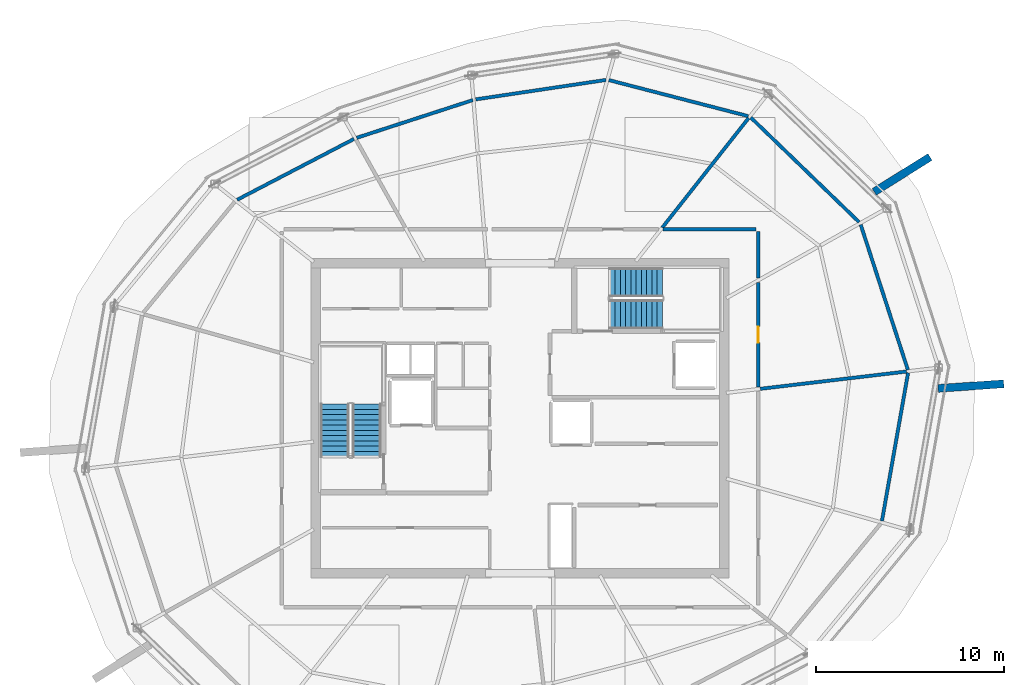
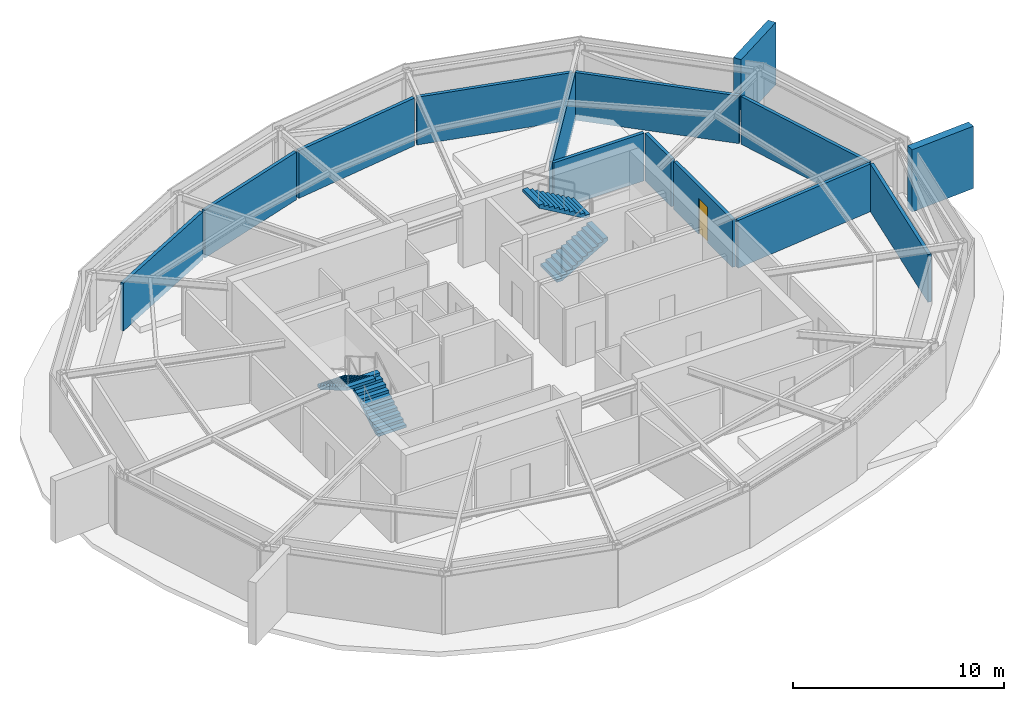
# One storey, part 9 of 10: 14 walls, 4 stair flights, 1 door, 1 opening, 2 elements without a shape of their own.
"""IFC4 building model written with IfcOpenShell, lengths in metres."""

from ifc_helpers import new_model, si_unit, direction, frame, frame_2d, origin, place, context, subcontext, project, spatial, polyline, rectangle, outline, extrude, material, layer, layer_set, type_object, element, fill, aggregate, save


model = new_model("IFC4")

# Units and contexts
model_context = context("Model", 3, precision=1e-05, world=origin(), true_north=direction((0.0, 1.0)))
body_context = subcontext(model_context, "Body", "Model", "MODEL_VIEW")
ifc_project = project(units=[si_unit("LENGTHUNIT", "METRE"), si_unit("AREAUNIT", "SQUARE_METRE"), si_unit("VOLUMEUNIT", "CUBIC_METRE"), si_unit("PLANEANGLEUNIT", "RADIAN"), si_unit("MASSUNIT", "GRAM", prefix="KILO")], contexts=[model_context])

# Site, building, storey
site_placement = place(None, origin())
site = spatial("IfcSite", under=ifc_project, at=site_placement, CompositionType="ELEMENT")
building_placement = place(site_placement, origin())
building = spatial("IfcBuilding", under=site, at=building_placement, Name="Kazma Halo Residences", CompositionType="ELEMENT")
storey_placement = place(building_placement, frame((0.0, 0.0, 359.60009765625)))
storey = spatial("IfcBuildingStorey", under=building, at=storey_placement, Name="L90", CompositionType="ELEMENT", Elevation=359.60009765625)

# Walls
ifc_material_1 = material(Name="Pale Concrete C60/75", Category="concrete")
ifc_layer_1 = layer(ifc_material_1, 0.419921875)
ifc_layer_set_1 = layer_set([ifc_layer_1], Name="Pale Concrete C60/75")
wall_type_1 = type_object("IfcWallType", Name="WL-BLADE-420", PredefinedType="SOLIDWALL", material=ifc_layer_set_1)
for number, where, z_axis, x_axis, name in (
    (1, (67.268798828125, 54.04052734375, 0.0), (0.0, 0.0, 1.0), (0.848033572426, 0.529942506352, 0.0), "L90 pale concrete structural blade fin wall BW-01"),
    (2, (70.666015625, 43.5849609375, 0.0), (0.0, 0.0, 1.0), (0.997564163539, 0.069754853754, 0.0), "L90 pale concrete structural blade fin wall BW-04"),
):
    element("IfcWall", number, at=place(storey_placement, frame(where, z_axis=z_axis, x_axis=x_axis)), inside=storey, type_object=wall_type_1, Name=name, PredefinedType="SOLIDWALL", context=body_context, shape_type="SweptSolid", body=[
        extrude(rectangle(XDim=3.5, YDim=0.419921875, at=frame_2d((1.75, 0.0))), origin(), (0.0, 0.0, 1.0), 3.599853515625),
    ])
ifc_material_2 = material(Name="Acoustic Twin-Stud Gypsum")
ifc_layer_2 = layer(ifc_material_2, 0.179931640625)
ifc_layer_set_2 = layer_set([ifc_layer_2], Name="Acoustic Twin-Stud Gypsum")
wall_type_2 = type_object("IfcWallType", Name="WL-DEM-180", PredefinedType="PARTITIONING", material=ifc_layer_set_2)
wall_1_placement = place(storey_placement, frame((66.466796875, 52.4296875, 0.0), z_axis=(0.0, 0.0, 1.0), x_axis=(-0.719364153135, 0.694633151516, 0.0)))
element("IfcWall", 3, at=wall_1_placement, inside=storey, type_object=wall_type_2, Name="L90 crown plant perimeter wall 00", PredefinedType="PARTITIONING", context=body_context, shape_type="SweptSolid", body=[
    extrude(rectangle(XDim=8.006103515625, YDim=0.179931640625, at=frame_2d((4.0029296875, 0.0))), origin(), (0.0, 0.0, 1.0), 2.760009765625),
])
wall_2_placement = place(storey_placement, frame((60.57275390625, 58.06640625, 0.0), z_axis=(0.0, 0.0, 1.0), x_axis=(-0.968117205342, 0.250497658115, 0.0)))
element("IfcWall", 4, at=wall_2_placement, inside=storey, type_object=wall_type_2, Name="L90 crown plant perimeter wall 01", PredefinedType="PARTITIONING", context=body_context, shape_type="SweptSolid", body=[
    extrude(rectangle(XDim=7.66162109375, YDim=0.179931640625, at=frame_2d((3.830810546875, 0.0))), origin(), (0.0, 0.0, 1.0), 2.760009765625),
])
wall_3_placement = place(storey_placement, frame((52.9990234375, 59.99365234375, 0.0), z_axis=(0.0, 0.0, 1.0), x_axis=(-0.989034336252, -0.147685753256, 0.0)))
element("IfcWall", 5, at=wall_3_placement, inside=storey, type_object=wall_type_2, Name="L90 crown plant perimeter wall 02", PredefinedType="PARTITIONING", context=body_context, shape_type="SweptSolid", body=[
    extrude(rectangle(XDim=7.002685546875, YDim=0.179931640625, at=frame_2d((3.50146484375, 0.0))), origin(), (0.0, 0.0, 1.0), 2.760009765625),
])
wall_4_placement = place(storey_placement, frame((45.91796875, 58.923095703125, 0.0), z_axis=(0.0, 0.0, 1.0), x_axis=(-0.95105283999, -0.309028308649, 0.0)))
element("IfcWall", 6, at=wall_4_placement, inside=storey, type_object=wall_type_2, Name="L90 crown plant perimeter wall 03", PredefinedType="PARTITIONING", context=body_context, shape_type="SweptSolid", body=[
    extrude(rectangle(XDim=6.498779296875, YDim=0.179931640625, at=frame_2d((3.24951171875, 0.0))), origin(), (0.0, 0.0, 1.0), 2.760009765625),
])
wall_5_placement = place(storey_placement, frame((39.590087890625, 56.85302734375, 0.0), z_axis=(0.0, 0.0, 1.0), x_axis=(-0.886949494865, -0.461866423935, 0.0)))
element("IfcWall", 7, at=wall_5_placement, inside=storey, type_object=wall_type_2, Name="L90 crown plant perimeter wall 04", PredefinedType="PARTITIONING", context=body_context, shape_type="SweptSolid", body=[
    extrude(rectangle(XDim=7.002197265625, YDim=0.179931640625, at=frame_2d((3.5009765625, 0.0))), origin(), (0.0, 0.0, 1.0), 2.760009765625),
])
wall_6_placement = place(storey_placement, frame((67.679931640625, 36.532470703125, 0.0), z_axis=(0.0, 0.0, 1.0), x_axis=(0.173668776466, 0.984804120666, 0.0)))
element("IfcWall", 8, at=wall_6_placement, inside=storey, type_object=wall_type_2, Name="L90 crown plant perimeter wall 14", PredefinedType="PARTITIONING", context=body_context, shape_type="SweptSolid", body=[
    extrude(rectangle(XDim=8.005859375, YDim=0.179931640625, at=frame_2d((4.0029296875, 0.0))), origin(), (0.0, 0.0, 1.0), 2.760009765625),
])
wall_7_placement = place(storey_placement, frame((69.059326171875, 44.571533203125, 0.0), z_axis=(0.0, 0.0, 1.0), x_axis=(-0.309024234991, 0.951054163646, 0.0)))
element("IfcWall", 9, at=wall_7_placement, inside=storey, type_object=wall_type_2, Name="L90 crown plant perimeter wall 15", PredefinedType="PARTITIONING", context=body_context, shape_type="SweptSolid", body=[
    extrude(rectangle(XDim=8.1240234375, YDim=0.179931640625, at=frame_2d((4.06201171875, 0.0))), origin(), (0.0, 0.0, 1.0), 2.760009765625),
])
wall_8_placement = place(storey_placement, frame((55.990966796875, 52.136474609375, 0.0), z_axis=(0.0, 0.0, 1.0), x_axis=(0.619089811342, 0.785320192974, 0.0)))
element("IfcWall", 10, at=wall_8_placement, inside=storey, type_object=wall_type_2, Name="L90 radial partition wall 01", PredefinedType="PARTITIONING", context=body_context, shape_type="SweptSolid", body=[
    extrude(rectangle(XDim=7.42578125, YDim=0.179931640625, at=frame_2d((3.712890625, 0.0))), origin(), (0.0, 0.0, 1.0), 2.760009765625),
])
wall_9_placement = place(storey_placement, frame((61.209228515625, 43.5634765625, 0.0), z_axis=(0.0, 0.0, 1.0), x_axis=(0.993070558818, 0.117519637545, 0.0)))
element("IfcWall", 11, at=wall_9_placement, inside=storey, type_object=wall_type_2, Name="L90 radial partition wall 15", PredefinedType="PARTITIONING", context=body_context, shape_type="SweptSolid", body=[
    extrude(rectangle(XDim=7.829833984375, YDim=0.179931640625, at=frame_2d((3.9150390625, 0.0))), origin(), (0.0, 0.0, 1.0), 2.760009765625),
])

# Wall, opening, door
wall_10_placement = place(storey_placement, frame((61.10009765625, 43.67041015625, 0.0), z_axis=(0.0, 0.0, 1.0), x_axis=(0.0, 1.0, 0.0)))
wall_10 = element("IfcWall", 12, at=wall_10_placement, inside=storey, type_object=wall_type_2, Name="L90 L90 Lift Machine Mechanical Plant Room corridor wall", PredefinedType="PARTITIONING", context=body_context, shape_type="SweptSolid", body=[
    extrude(rectangle(XDim=5.5458984375, YDim=0.179931640625, at=frame_2d((2.77294921875, 0.0))), origin(), (0.0, 0.0, 1.0), 2.760009765625),
])
opening_placement = place(wall_10_placement, frame((2.347900390625, 0.0, 0.0)))
opening = element("IfcOpeningElement", 13, at=opening_placement, cuts=wall_10, Name="Opening DS-850", PredefinedType="OPENING", context=body_context, shape_type="SweptSolid", body=[
    extrude(rectangle(XDim=0.85009765625, YDim=2.06005859375, at=frame_2d((0.425048828125, 1.030029296875))), frame((0.0, 0.099853515625, 0.0), z_axis=(0.0, -1.0, 0.0), x_axis=(1.0, 0.0, 0.0)), (0.0, 0.0, 1.0), 0.199951171875),
])
ifc_material_3 = material(Name="Painted Steel Access Leaf", Category="steel")
door_type = type_object("IfcDoorType", Name="DR-SVC-850", OperationType="NOTDEFINED", PredefinedType="DOOR", material=ifc_material_3)
door_placement = place(opening_placement, origin())
door = element("IfcDoor", 14, at=door_placement, inside=storey, type_object=door_type, Name="L90 L90 Lift Machine Mechanical Plant Room door", OperationType="SINGLE_SWING_RIGHT", OverallHeight=2.06005859375, OverallWidth=0.85009765625, PredefinedType="DOOR", context=body_context, shape_type="SweptSolid", body=[
    extrude(rectangle(XDim=0.85009765625, YDim=2.06005859375, at=frame_2d((0.425048828125, 1.030029296875))), frame((0.0, 0.02490234375, 0.0), z_axis=(0.0, -1.0, 0.0), x_axis=(1.0, 0.0, 0.0)), (0.0, 0.0, 1.0), 0.050048828125),
])
fill(opening, door)

# Walls
wall_11_placement = place(storey_placement, frame((61.10009765625, 49.456298828125, 0.0), z_axis=(0.0, 0.0, 1.0), x_axis=(0.0, 1.0, 0.0)))
element("IfcWall", 15, at=wall_11_placement, inside=storey, type_object=wall_type_2, Name="L90 L90 Lift Machine Mechanical Plant Room corridor wall", PredefinedType="PARTITIONING", context=body_context, shape_type="SweptSolid", body=[
    extrude(rectangle(XDim=2.4736328125, YDim=0.179931640625, at=frame_2d((1.23681640625, 0.0))), origin(), (0.0, 0.0, 1.0), 2.760009765625),
])
wall_12_placement = place(storey_placement, frame((60.97998046875, 52.050048828125, 0.0), z_axis=(0.0, 0.0, 1.0), x_axis=(-1.0, 0.0, 0.0)))
element("IfcWall", 16, at=wall_12_placement, inside=storey, type_object=wall_type_2, Name="L90 L90 Lift Machine Mechanical Plant Room corridor wall", PredefinedType="PARTITIONING", context=body_context, shape_type="SweptSolid", body=[
    extrude(rectangle(XDim=4.937255859375, YDim=0.179931640625, at=frame_2d((2.46875, 0.0))), origin(), (0.0, 0.0, 1.0), 2.760009765625),
])

# Stair, stair flights
ifc_material_4 = material(Name="Concrete C50/60", Category="concrete")
stair_type = type_object("IfcStairType", Name="STR-CRWN", PredefinedType="HALF_TURN_STAIR", material=ifc_material_4)
stair_1_placement = place(storey_placement, origin())
stair_1 = element("IfcStair", 17, at=stair_1_placement, inside=storey, type_object=stair_type, Name="L90 Core exit stair ST-01", PredefinedType="HALF_TURN_STAIR")
stair_flight_type = type_object("IfcStairFlightType", Name="STR-CRWN-FLT", PredefinedType="STRAIGHT", material=ifc_material_4)
stair_flight_1_placement = place(storey_placement, frame((40.27490234375, 39.949951171875, 0.0), z_axis=(0.0, 0.0, 1.0), x_axis=(0.0, 1.0, 0.0)))
stair_flight_1 = element("IfcStairFlight", 18, at=stair_flight_1_placement, type_object=stair_flight_type, Name="ST-01 flight 1", NumberOfRisers=11, NumberOfTreads=10, PredefinedType="STRAIGHT", RiserHeight=0.163636364, TreadLength=0.28, context=body_context, shape_type="SweptSolid", body=[
    extrude(outline(polyline([(0.0, 0.0), (0.0, 0.16357421875), (0.280029296875, 0.16357421875), (0.280029296875, 0.327392578125), (0.56005859375, 0.327392578125), (0.56005859375, 0.490966796875), (0.840087890625, 0.490966796875), (0.840087890625, 0.654541015625), (1.1201171875, 0.654541015625), (1.1201171875, 0.818115234375), (1.39990234375, 0.818115234375), (1.39990234375, 0.98193359375), (1.679931640625, 0.98193359375), (1.679931640625, 1.1455078125), (1.9599609375, 1.1455078125), (1.9599609375, 1.30908203125), (2.239990234375, 1.30908203125), (2.239990234375, 1.47265625), (2.52001953125, 1.47265625), (2.52001953125, 1.636474609375), (2.800048828125, 1.636474609375), (2.800048828125, 1.800048828125), (2.800048828125, 1.462646484375), (0.297119140625, 0.0), (0.0, 0.0)])), frame((0.0, 0.77490234375, 0.0), z_axis=(0.0, -1.0, 0.0), x_axis=(1.0, 0.0, 0.0)), (0.0, 0.0, 1.0), 1.550048828125),
])
stair_flight_2_placement = place(storey_placement, frame((38.574951171875, 42.75, 1.7998046875), z_axis=(0.0, 0.0, 1.0), x_axis=(0.0, -1.0, 0.0)))
stair_flight_2 = element("IfcStairFlight", 19, at=stair_flight_2_placement, type_object=stair_flight_type, Name="ST-01 flight 2", NumberOfRisers=11, NumberOfTreads=10, PredefinedType="STRAIGHT", RiserHeight=0.163636364, TreadLength=0.28, context=body_context, shape_type="SweptSolid", body=[
    extrude(outline(polyline([(0.0, 0.0), (0.0, 0.16357421875), (0.280029296875, 0.16357421875), (0.280029296875, 0.327392578125), (0.56005859375, 0.327392578125), (0.56005859375, 0.490966796875), (0.840087890625, 0.490966796875), (0.840087890625, 0.654541015625), (1.1201171875, 0.654541015625), (1.1201171875, 0.818115234375), (1.39990234375, 0.818115234375), (1.39990234375, 0.98193359375), (1.679931640625, 0.98193359375), (1.679931640625, 1.1455078125), (1.9599609375, 1.1455078125), (1.9599609375, 1.30908203125), (2.239990234375, 1.30908203125), (2.239990234375, 1.47265625), (2.52001953125, 1.47265625), (2.52001953125, 1.636474609375), (2.800048828125, 1.636474609375), (2.800048828125, 1.800048828125), (2.800048828125, 1.462646484375), (0.297119140625, 0.0), (0.0, 0.0)])), frame((0.0, 0.77490234375, 0.0), z_axis=(0.0, -1.0, 0.0), x_axis=(1.0, 0.0, 0.0)), (0.0, 0.0, 1.0), 1.550048828125),
])
aggregate(stair_1, [stair_flight_1, stair_flight_2])

stair_2_placement = place(storey_placement, origin())
stair_2 = element("IfcStair", 20, at=stair_2_placement, inside=storey, type_object=stair_type, Name="L90 Core exit stair ST-02", PredefinedType="HALF_TURN_STAIR")
stair_flight_3_placement = place(storey_placement, frame((53.199951171875, 47.52490234375, 0.0), z_axis=(0.0, 0.0, 1.0), x_axis=(1.0, 0.0, 0.0)))
stair_flight_3 = element("IfcStairFlight", 21, at=stair_flight_3_placement, type_object=stair_flight_type, Name="ST-02 flight 1", NumberOfRisers=11, NumberOfTreads=10, PredefinedType="STRAIGHT", RiserHeight=0.163636364, TreadLength=0.28, context=body_context, shape_type="SweptSolid", body=[
    extrude(outline(polyline([(0.0, 0.0), (0.0, 0.16357421875), (0.280029296875, 0.16357421875), (0.280029296875, 0.327392578125), (0.56005859375, 0.327392578125), (0.56005859375, 0.490966796875), (0.840087890625, 0.490966796875), (0.840087890625, 0.654541015625), (1.1201171875, 0.654541015625), (1.1201171875, 0.818115234375), (1.39990234375, 0.818115234375), (1.39990234375, 0.98193359375), (1.679931640625, 0.98193359375), (1.679931640625, 1.1455078125), (1.9599609375, 1.1455078125), (1.9599609375, 1.30908203125), (2.239990234375, 1.30908203125), (2.239990234375, 1.47265625), (2.52001953125, 1.47265625), (2.52001953125, 1.636474609375), (2.800048828125, 1.636474609375), (2.800048828125, 1.800048828125), (2.800048828125, 1.462646484375), (0.297119140625, 0.0), (0.0, 0.0)])), frame((0.0, 0.77490234375, 0.0), z_axis=(0.0, -1.0, 0.0), x_axis=(1.0, 0.0, 0.0)), (0.0, 0.0, 1.0), 1.550048828125),
])
stair_flight_4_placement = place(storey_placement, frame((56.0, 49.22509765625, 1.7998046875), z_axis=(0.0, 0.0, 1.0), x_axis=(-1.0, 0.0, 0.0)))
stair_flight_4 = element("IfcStairFlight", 22, at=stair_flight_4_placement, type_object=stair_flight_type, Name="ST-02 flight 2", NumberOfRisers=11, NumberOfTreads=10, PredefinedType="STRAIGHT", RiserHeight=0.163636364, TreadLength=0.28, context=body_context, shape_type="SweptSolid", body=[
    extrude(outline(polyline([(0.0, 0.0), (0.0, 0.16357421875), (0.280029296875, 0.16357421875), (0.280029296875, 0.327392578125), (0.56005859375, 0.327392578125), (0.56005859375, 0.490966796875), (0.840087890625, 0.490966796875), (0.840087890625, 0.654541015625), (1.1201171875, 0.654541015625), (1.1201171875, 0.818115234375), (1.39990234375, 0.818115234375), (1.39990234375, 0.98193359375), (1.679931640625, 0.98193359375), (1.679931640625, 1.1455078125), (1.9599609375, 1.1455078125), (1.9599609375, 1.30908203125), (2.239990234375, 1.30908203125), (2.239990234375, 1.47265625), (2.52001953125, 1.47265625), (2.52001953125, 1.636474609375), (2.800048828125, 1.636474609375), (2.800048828125, 1.800048828125), (2.800048828125, 1.462646484375), (0.297119140625, 0.0), (0.0, 0.0)])), frame((0.0, 0.77490234375, 0.0), z_axis=(0.0, -1.0, 0.0), x_axis=(1.0, 0.0, 0.0)), (0.0, 0.0, 1.0), 1.550048828125),
])
aggregate(stair_2, [stair_flight_3, stair_flight_4])

save(model, "model.ifc")
